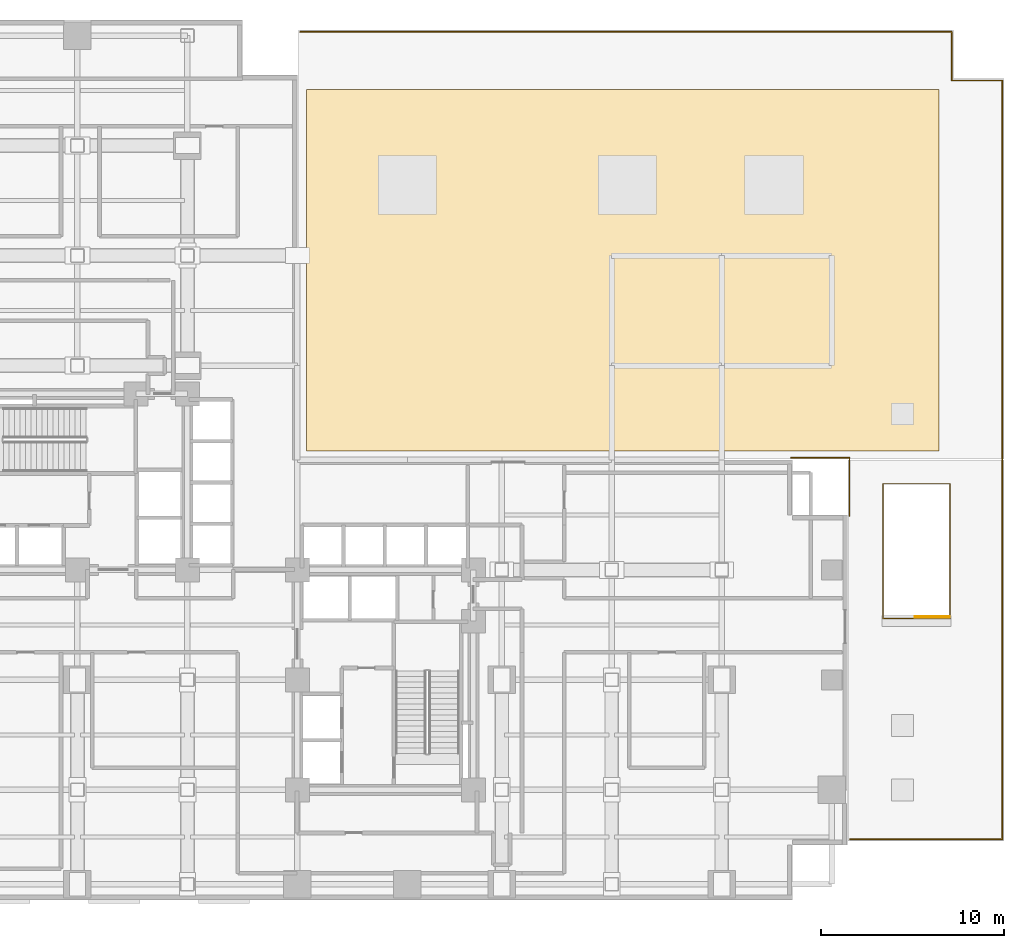
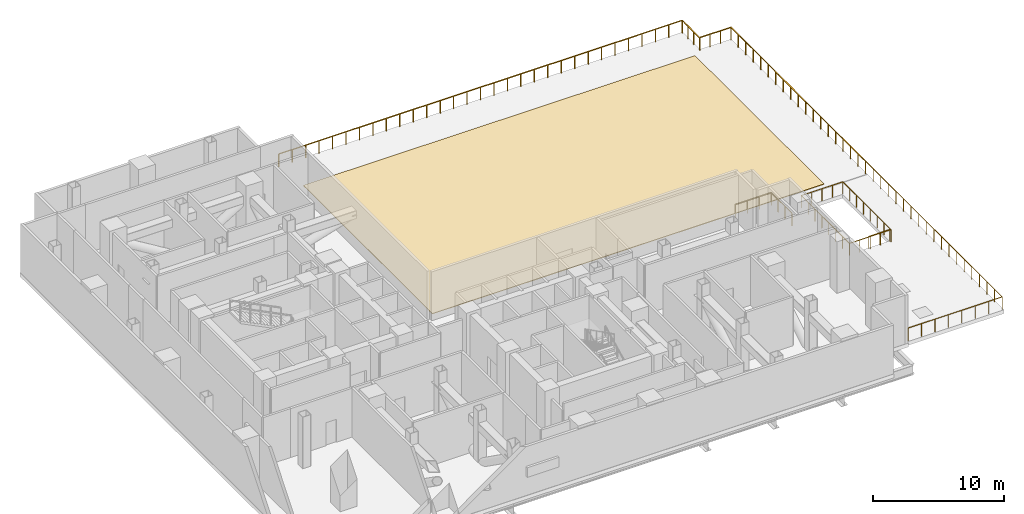
# One storey, part 8 of 8: 5 railings, 1 covering.
"""IFC4 building model written with IfcOpenShell, lengths in metres."""

from ifc_helpers import new_model, si_unit, direction, frame, origin, origin_2d, place, context, subcontext, project, spatial, polyline, rectangle, outline, extrude, material, layer, layer_set, type_object, element, save


model = new_model("IFC4")

# Units and contexts
model_context = context("Model", 3, precision=1e-05, world=origin(), true_north=direction((0.0, 1.0)))
body_context = subcontext(model_context, "Body", "Model", "MODEL_VIEW")
ifc_project = project(units=[si_unit("LENGTHUNIT", "METRE"), si_unit("AREAUNIT", "SQUARE_METRE"), si_unit("VOLUMEUNIT", "CUBIC_METRE"), si_unit("PLANEANGLEUNIT", "RADIAN"), si_unit("MASSUNIT", "GRAM", prefix="KILO"), si_unit("THERMODYNAMICTEMPERATUREUNIT", "KELVIN"), si_unit("POWERUNIT", "WATT")], contexts=[model_context])

# Site, building, storey
site_placement = place(None, origin())
site = spatial("IfcSite", under=ifc_project, at=site_placement, CompositionType="ELEMENT")
building_placement = place(site_placement, origin())
building = spatial("IfcBuilding", under=site, at=building_placement, Name="Svarakhadi Broadcast Tower", CompositionType="ELEMENT")
storey_placement = place(building_placement, frame((0.0, 0.0, 27.60009765625)))
storey = spatial("IfcBuildingStorey", under=building, at=storey_placement, Name="L05", CompositionType="ELEMENT", Elevation=27.60009765625)

# Railings
ifc_material_1 = material(Name="Anodised Bronze Aluminium AA 6063-T6", Category="aluminium")
railing_type_1 = type_object("IfcRailingType", Name="Guard_Stair_GR01", PredefinedType="GUARDRAIL", material=ifc_material_1)
railing_1_placement = place(storey_placement, frame((59.56005859375, 15.449951171875, 0.0)))
element("IfcRailing", 1, at=railing_1_placement, inside=storey, type_object=railing_type_1, Name="L05 ST-04 top well guard 1", PredefinedType="GUARDRAIL", context=body_context, shape_type="SweptSolid", body=[
    extrude(rectangle(XDim=0.048095703125, YDim=0.048095703125, at=origin_2d()), frame((0.0, 0.0, 1.09619140625), z_axis=(-1.0, 0.0, 0.0), x_axis=(0.0, -1.0, 0.0)), (0.0, 0.0, 1.0), 1.860107421875),
    extrude(rectangle(XDim=0.0419921875, YDim=0.0419921875, at=origin_2d()), origin(), (0.0, 0.0, 1.0), 1.072021484375),
    extrude(rectangle(XDim=0.0419921875, YDim=0.0419921875, at=origin_2d()), frame((-0.93017578125, 0.0, 0.0)), (0.0, 0.0, 1.0), 1.072021484375),
    extrude(rectangle(XDim=0.0419921875, YDim=0.0419921875, at=origin_2d()), frame((-1.860107421875, 0.0, 0.0)), (0.0, 0.0, 1.0), 1.072021484375),
])
railing_type_2 = type_object("IfcRailingType", Name="Guard_Terrace_GR02", PredefinedType="BALUSTRADE", material=ifc_material_1)
railing_2_placement = place(storey_placement, frame((24.14990234375, 47.35009765625, 0.0)))
element("IfcRailing", 2, at=railing_2_placement, inside=storey, type_object=railing_type_2, Name="L05 NE Waterfront Podium Terrace Perimeter Guard GR-02", PredefinedType="BALUSTRADE", context=body_context, shape_type="SweptSolid", body=[
    extrude(rectangle(XDim=0.048095703125, YDim=0.048095703125, at=origin_2d()), frame((0.0, 0.0, 1.17578125), z_axis=(1.0, 0.0, 0.0), x_axis=(0.0, 1.0, 0.0)), (0.0, 0.0, 1.0), 35.550048828125),
    extrude(rectangle(XDim=0.048095703125, YDim=0.048095703125, at=origin_2d()), frame((35.550048828125, 0.0, 1.17578125), z_axis=(0.0, -1.0, 0.0), x_axis=(1.0, 0.0, 0.0)), (0.0, 0.0, 1.0), 2.650146484375),
    extrude(rectangle(XDim=0.048095703125, YDim=0.048095703125, at=origin_2d()), frame((35.550048828125, -2.650146484375, 1.17578125), z_axis=(1.0, 0.0, 0.0), x_axis=(0.0, 1.0, 0.0)), (0.0, 0.0, 1.0), 2.75),
    extrude(rectangle(XDim=0.048095703125, YDim=0.048095703125, at=origin_2d()), frame((38.300048828125, -2.650146484375, 1.17578125), z_axis=(0.0, -1.0, 0.0), x_axis=(1.0, 0.0, 0.0)), (0.0, 0.0, 1.0), 20.550048828125),
    extrude(rectangle(XDim=0.0419921875, YDim=0.0419921875, at=origin_2d()), origin(), (0.0, 0.0, 1.0), 1.15185546875),
    extrude(rectangle(XDim=0.0419921875, YDim=0.0419921875, at=origin_2d()), frame((1.18505859375, 0.0, 0.0)), (0.0, 0.0, 1.0), 1.15185546875),
    extrude(rectangle(XDim=0.0419921875, YDim=0.0419921875, at=origin_2d()), frame((2.3701171875, 0.0, 0.0)), (0.0, 0.0, 1.0), 1.15185546875),
    extrude(rectangle(XDim=0.0419921875, YDim=0.0419921875, at=origin_2d()), frame((3.554931640625, 0.0, 0.0)), (0.0, 0.0, 1.0), 1.15185546875),
    extrude(rectangle(XDim=0.0419921875, YDim=0.0419921875, at=origin_2d()), frame((4.739990234375, 0.0, 0.0)), (0.0, 0.0, 1.0), 1.15185546875),
    extrude(rectangle(XDim=0.0419921875, YDim=0.0419921875, at=origin_2d()), frame((5.925048828125, 0.0, 0.0)), (0.0, 0.0, 1.0), 1.15185546875),
    extrude(rectangle(XDim=0.0419921875, YDim=0.0419921875, at=origin_2d()), frame((7.110107421875, 0.0, 0.0)), (0.0, 0.0, 1.0), 1.15185546875),
    extrude(rectangle(XDim=0.0419921875, YDim=0.0419921875, at=origin_2d()), frame((8.294921875, 0.0, 0.0)), (0.0, 0.0, 1.0), 1.15185546875),
    extrude(rectangle(XDim=0.0419921875, YDim=0.0419921875, at=origin_2d()), frame((9.47998046875, 0.0, 0.0)), (0.0, 0.0, 1.0), 1.15185546875),
    extrude(rectangle(XDim=0.0419921875, YDim=0.0419921875, at=origin_2d()), frame((10.6650390625, 0.0, 0.0)), (0.0, 0.0, 1.0), 1.15185546875),
    extrude(rectangle(XDim=0.0419921875, YDim=0.0419921875, at=origin_2d()), frame((11.85009765625, 0.0, 0.0)), (0.0, 0.0, 1.0), 1.15185546875),
    extrude(rectangle(XDim=0.0419921875, YDim=0.0419921875, at=origin_2d()), frame((13.034912109375, 0.0, 0.0)), (0.0, 0.0, 1.0), 1.15185546875),
    extrude(rectangle(XDim=0.0419921875, YDim=0.0419921875, at=origin_2d()), frame((14.219970703125, 0.0, 0.0)), (0.0, 0.0, 1.0), 1.15185546875),
    extrude(rectangle(XDim=0.0419921875, YDim=0.0419921875, at=origin_2d()), frame((15.405029296875, 0.0, 0.0)), (0.0, 0.0, 1.0), 1.15185546875),
    extrude(rectangle(XDim=0.0419921875, YDim=0.0419921875, at=origin_2d()), frame((16.590087890625, 0.0, 0.0)), (0.0, 0.0, 1.0), 1.15185546875),
    extrude(rectangle(XDim=0.0419921875, YDim=0.0419921875, at=origin_2d()), frame((17.77490234375, 0.0, 0.0)), (0.0, 0.0, 1.0), 1.15185546875),
    extrude(rectangle(XDim=0.0419921875, YDim=0.0419921875, at=origin_2d()), frame((18.9599609375, 0.0, 0.0)), (0.0, 0.0, 1.0), 1.15185546875),
    extrude(rectangle(XDim=0.0419921875, YDim=0.0419921875, at=origin_2d()), frame((20.14501953125, 0.0, 0.0)), (0.0, 0.0, 1.0), 1.15185546875),
    extrude(rectangle(XDim=0.0419921875, YDim=0.0419921875, at=origin_2d()), frame((21.330078125, 0.0, 0.0)), (0.0, 0.0, 1.0), 1.15185546875),
    extrude(rectangle(XDim=0.0419921875, YDim=0.0419921875, at=origin_2d()), frame((22.51513671875, 0.0, 0.0)), (0.0, 0.0, 1.0), 1.15185546875),
    extrude(rectangle(XDim=0.0419921875, YDim=0.0419921875, at=origin_2d()), frame((23.699951171875, 0.0, 0.0)), (0.0, 0.0, 1.0), 1.15185546875),
    extrude(rectangle(XDim=0.0419921875, YDim=0.0419921875, at=origin_2d()), frame((24.885009765625, 0.0, 0.0)), (0.0, 0.0, 1.0), 1.15185546875),
    extrude(rectangle(XDim=0.0419921875, YDim=0.0419921875, at=origin_2d()), frame((26.070068359375, 0.0, 0.0)), (0.0, 0.0, 1.0), 1.15185546875),
    extrude(rectangle(XDim=0.0419921875, YDim=0.0419921875, at=origin_2d()), frame((27.255126953125, 0.0, 0.0)), (0.0, 0.0, 1.0), 1.15185546875),
    extrude(rectangle(XDim=0.0419921875, YDim=0.0419921875, at=origin_2d()), frame((28.43994140625, 0.0, 0.0)), (0.0, 0.0, 1.0), 1.15185546875),
    extrude(rectangle(XDim=0.0419921875, YDim=0.0419921875, at=origin_2d()), frame((29.625, 0.0, 0.0)), (0.0, 0.0, 1.0), 1.15185546875),
    extrude(rectangle(XDim=0.0419921875, YDim=0.0419921875, at=origin_2d()), frame((30.81005859375, 0.0, 0.0)), (0.0, 0.0, 1.0), 1.15185546875),
    extrude(rectangle(XDim=0.0419921875, YDim=0.0419921875, at=origin_2d()), frame((31.9951171875, 0.0, 0.0)), (0.0, 0.0, 1.0), 1.15185546875),
    extrude(rectangle(XDim=0.0419921875, YDim=0.0419921875, at=origin_2d()), frame((33.179931640625, 0.0, 0.0)), (0.0, 0.0, 1.0), 1.15185546875),
    extrude(rectangle(XDim=0.0419921875, YDim=0.0419921875, at=origin_2d()), frame((34.364990234375, 0.0, 0.0)), (0.0, 0.0, 1.0), 1.15185546875),
    extrude(rectangle(XDim=0.0419921875, YDim=0.0419921875, at=origin_2d()), frame((35.550048828125, 0.0, 0.0)), (0.0, 0.0, 1.0), 1.15185546875),
    extrude(rectangle(XDim=0.0419921875, YDim=0.0419921875, at=origin_2d()), frame((35.550048828125, -0.88330078125, 0.0)), (0.0, 0.0, 1.0), 1.15185546875),
    extrude(rectangle(XDim=0.0419921875, YDim=0.0419921875, at=origin_2d()), frame((35.550048828125, -1.766845703125, 0.0)), (0.0, 0.0, 1.0), 1.15185546875),
    extrude(rectangle(XDim=0.0419921875, YDim=0.0419921875, at=origin_2d()), frame((35.550048828125, -2.650146484375, 0.0)), (0.0, 0.0, 1.0), 1.15185546875),
    extrude(rectangle(XDim=0.0419921875, YDim=0.0419921875, at=origin_2d()), frame((36.466796875, -2.650146484375, 0.0)), (0.0, 0.0, 1.0), 1.15185546875),
    extrude(rectangle(XDim=0.0419921875, YDim=0.0419921875, at=origin_2d()), frame((37.38330078125, -2.650146484375, 0.0)), (0.0, 0.0, 1.0), 1.15185546875),
    extrude(rectangle(XDim=0.0419921875, YDim=0.0419921875, at=origin_2d()), frame((38.300048828125, -2.650146484375, 0.0)), (0.0, 0.0, 1.0), 1.15185546875),
    extrude(rectangle(XDim=0.0419921875, YDim=0.0419921875, at=origin_2d()), frame((38.300048828125, -3.791748046875, 0.0)), (0.0, 0.0, 1.0), 1.15185546875),
    extrude(rectangle(XDim=0.0419921875, YDim=0.0419921875, at=origin_2d()), frame((38.300048828125, -4.93359375, 0.0)), (0.0, 0.0, 1.0), 1.15185546875),
    extrude(rectangle(XDim=0.0419921875, YDim=0.0419921875, at=origin_2d()), frame((38.300048828125, -6.0751953125, 0.0)), (0.0, 0.0, 1.0), 1.15185546875),
    extrude(rectangle(XDim=0.0419921875, YDim=0.0419921875, at=origin_2d()), frame((38.300048828125, -7.216796875, 0.0)), (0.0, 0.0, 1.0), 1.15185546875),
    extrude(rectangle(XDim=0.0419921875, YDim=0.0419921875, at=origin_2d()), frame((38.300048828125, -8.3583984375, 0.0)), (0.0, 0.0, 1.0), 1.15185546875),
    extrude(rectangle(XDim=0.0419921875, YDim=0.0419921875, at=origin_2d()), frame((38.300048828125, -9.500244140625, 0.0)), (0.0, 0.0, 1.0), 1.15185546875),
    extrude(rectangle(XDim=0.0419921875, YDim=0.0419921875, at=origin_2d()), frame((38.300048828125, -10.641845703125, 0.0)), (0.0, 0.0, 1.0), 1.15185546875),
    extrude(rectangle(XDim=0.0419921875, YDim=0.0419921875, at=origin_2d()), frame((38.300048828125, -11.783447265625, 0.0)), (0.0, 0.0, 1.0), 1.15185546875),
    extrude(rectangle(XDim=0.0419921875, YDim=0.0419921875, at=origin_2d()), frame((38.300048828125, -12.92529296875, 0.0)), (0.0, 0.0, 1.0), 1.15185546875),
    extrude(rectangle(XDim=0.0419921875, YDim=0.0419921875, at=origin_2d()), frame((38.300048828125, -14.06689453125, 0.0)), (0.0, 0.0, 1.0), 1.15185546875),
    extrude(rectangle(XDim=0.0419921875, YDim=0.0419921875, at=origin_2d()), frame((38.300048828125, -15.20849609375, 0.0)), (0.0, 0.0, 1.0), 1.15185546875),
    extrude(rectangle(XDim=0.0419921875, YDim=0.0419921875, at=origin_2d()), frame((38.300048828125, -16.35009765625, 0.0)), (0.0, 0.0, 1.0), 1.15185546875),
    extrude(rectangle(XDim=0.0419921875, YDim=0.0419921875, at=origin_2d()), frame((38.300048828125, -17.491943359375, 0.0)), (0.0, 0.0, 1.0), 1.15185546875),
    extrude(rectangle(XDim=0.0419921875, YDim=0.0419921875, at=origin_2d()), frame((38.300048828125, -18.633544921875, 0.0)), (0.0, 0.0, 1.0), 1.15185546875),
    extrude(rectangle(XDim=0.0419921875, YDim=0.0419921875, at=origin_2d()), frame((38.300048828125, -19.775146484375, 0.0)), (0.0, 0.0, 1.0), 1.15185546875),
    extrude(rectangle(XDim=0.0419921875, YDim=0.0419921875, at=origin_2d()), frame((38.300048828125, -20.916748046875, 0.0)), (0.0, 0.0, 1.0), 1.15185546875),
    extrude(rectangle(XDim=0.0419921875, YDim=0.0419921875, at=origin_2d()), frame((38.300048828125, -22.05859375, 0.0)), (0.0, 0.0, 1.0), 1.15185546875),
    extrude(rectangle(XDim=0.0419921875, YDim=0.0419921875, at=origin_2d()), frame((38.300048828125, -23.2001953125, 0.0)), (0.0, 0.0, 1.0), 1.15185546875),
])
railing_3_placement = place(storey_placement, frame((62.449951171875, 24.14990234375, 0.0)))
element("IfcRailing", 3, at=railing_3_placement, inside=storey, type_object=railing_type_2, Name="L05 SE Waterfront Podium Terrace Perimeter Guard GR-02", PredefinedType="BALUSTRADE", context=body_context, shape_type="SweptSolid", body=[
    extrude(rectangle(XDim=0.048095703125, YDim=0.048095703125, at=origin_2d()), frame((0.0, 0.0, 1.17578125), z_axis=(0.0, -1.0, 0.0), x_axis=(1.0, 0.0, 0.0)), (0.0, 0.0, 1.0), 20.849853515625),
    extrude(rectangle(XDim=0.048095703125, YDim=0.048095703125, at=origin_2d()), frame((0.0, -20.849853515625, 1.17578125), z_axis=(-1.0, 0.0, 0.0), x_axis=(0.0, -1.0, 0.0)), (0.0, 0.0, 1.0), 8.300048828125),
    extrude(rectangle(XDim=0.0419921875, YDim=0.0419921875, at=origin_2d()), origin(), (0.0, 0.0, 1.0), 1.15185546875),
    extrude(rectangle(XDim=0.0419921875, YDim=0.0419921875, at=origin_2d()), frame((0.0, -1.158203125, 0.0)), (0.0, 0.0, 1.0), 1.15185546875),
    extrude(rectangle(XDim=0.0419921875, YDim=0.0419921875, at=origin_2d()), frame((0.0, -2.316650390625, 0.0)), (0.0, 0.0, 1.0), 1.15185546875),
    extrude(rectangle(XDim=0.0419921875, YDim=0.0419921875, at=origin_2d()), frame((0.0, -3.47509765625, 0.0)), (0.0, 0.0, 1.0), 1.15185546875),
    extrude(rectangle(XDim=0.0419921875, YDim=0.0419921875, at=origin_2d()), frame((0.0, -4.63330078125, 0.0)), (0.0, 0.0, 1.0), 1.15185546875),
    extrude(rectangle(XDim=0.0419921875, YDim=0.0419921875, at=origin_2d()), frame((0.0, -5.79150390625, 0.0)), (0.0, 0.0, 1.0), 1.15185546875),
    extrude(rectangle(XDim=0.0419921875, YDim=0.0419921875, at=origin_2d()), frame((0.0, -6.949951171875, 0.0)), (0.0, 0.0, 1.0), 1.15185546875),
    extrude(rectangle(XDim=0.0419921875, YDim=0.0419921875, at=origin_2d()), frame((0.0, -8.1083984375, 0.0)), (0.0, 0.0, 1.0), 1.15185546875),
    extrude(rectangle(XDim=0.0419921875, YDim=0.0419921875, at=origin_2d()), frame((0.0, -9.2666015625, 0.0)), (0.0, 0.0, 1.0), 1.15185546875),
    extrude(rectangle(XDim=0.0419921875, YDim=0.0419921875, at=origin_2d()), frame((0.0, -10.4248046875, 0.0)), (0.0, 0.0, 1.0), 1.15185546875),
    extrude(rectangle(XDim=0.0419921875, YDim=0.0419921875, at=origin_2d()), frame((0.0, -11.583251953125, 0.0)), (0.0, 0.0, 1.0), 1.15185546875),
    extrude(rectangle(XDim=0.0419921875, YDim=0.0419921875, at=origin_2d()), frame((0.0, -12.74169921875, 0.0)), (0.0, 0.0, 1.0), 1.15185546875),
    extrude(rectangle(XDim=0.0419921875, YDim=0.0419921875, at=origin_2d()), frame((0.0, -13.89990234375, 0.0)), (0.0, 0.0, 1.0), 1.15185546875),
    extrude(rectangle(XDim=0.0419921875, YDim=0.0419921875, at=origin_2d()), frame((0.0, -15.05810546875, 0.0)), (0.0, 0.0, 1.0), 1.15185546875),
    extrude(rectangle(XDim=0.0419921875, YDim=0.0419921875, at=origin_2d()), frame((0.0, -16.216552734375, 0.0)), (0.0, 0.0, 1.0), 1.15185546875),
    extrude(rectangle(XDim=0.0419921875, YDim=0.0419921875, at=origin_2d()), frame((0.0, -17.375, 0.0)), (0.0, 0.0, 1.0), 1.15185546875),
    extrude(rectangle(XDim=0.0419921875, YDim=0.0419921875, at=origin_2d()), frame((0.0, -18.533203125, 0.0)), (0.0, 0.0, 1.0), 1.15185546875),
    extrude(rectangle(XDim=0.0419921875, YDim=0.0419921875, at=origin_2d()), frame((0.0, -19.69140625, 0.0)), (0.0, 0.0, 1.0), 1.15185546875),
    extrude(rectangle(XDim=0.0419921875, YDim=0.0419921875, at=origin_2d()), frame((0.0, -20.849853515625, 0.0)), (0.0, 0.0, 1.0), 1.15185546875),
    extrude(rectangle(XDim=0.0419921875, YDim=0.0419921875, at=origin_2d()), frame((-1.185791015625, -20.849853515625, 0.0)), (0.0, 0.0, 1.0), 1.15185546875),
    extrude(rectangle(XDim=0.0419921875, YDim=0.0419921875, at=origin_2d()), frame((-2.371337890625, -20.849853515625, 0.0)), (0.0, 0.0, 1.0), 1.15185546875),
    extrude(rectangle(XDim=0.0419921875, YDim=0.0419921875, at=origin_2d()), frame((-3.55712890625, -20.849853515625, 0.0)), (0.0, 0.0, 1.0), 1.15185546875),
    extrude(rectangle(XDim=0.0419921875, YDim=0.0419921875, at=origin_2d()), frame((-4.742919921875, -20.849853515625, 0.0)), (0.0, 0.0, 1.0), 1.15185546875),
    extrude(rectangle(XDim=0.0419921875, YDim=0.0419921875, at=origin_2d()), frame((-5.9287109375, -20.849853515625, 0.0)), (0.0, 0.0, 1.0), 1.15185546875),
    extrude(rectangle(XDim=0.0419921875, YDim=0.0419921875, at=origin_2d()), frame((-7.1142578125, -20.849853515625, 0.0)), (0.0, 0.0, 1.0), 1.15185546875),
    extrude(rectangle(XDim=0.0419921875, YDim=0.0419921875, at=origin_2d()), frame((-8.300048828125, -20.849853515625, 0.0)), (0.0, 0.0, 1.0), 1.15185546875),
])
railing_4_placement = place(storey_placement, frame((50.949951171875, 24.1201171875, 0.0)))
element("IfcRailing", 4, at=railing_4_placement, inside=storey, type_object=railing_type_2, Name="L05 Podium Terrace Re-Entrant Notch Guard GR-02", PredefinedType="BALUSTRADE", context=body_context, shape_type="SweptSolid", body=[
    extrude(rectangle(XDim=0.048095703125, YDim=0.048095703125, at=origin_2d()), frame((0.0, 0.0, 1.17578125), z_axis=(1.0, 0.0, 0.0), x_axis=(0.0, 1.0, 0.0)), (0.0, 0.0, 1.0), 3.170166015625),
    extrude(rectangle(XDim=0.048095703125, YDim=0.048095703125, at=origin_2d()), frame((3.170166015625, 0.0, 1.17578125), z_axis=(0.0, -1.0, 0.0), x_axis=(1.0, 0.0, 0.0)), (0.0, 0.0, 1.0), 3.170166015625),
    extrude(rectangle(XDim=0.0419921875, YDim=0.0419921875, at=origin_2d()), origin(), (0.0, 0.0, 1.0), 1.15185546875),
    extrude(rectangle(XDim=0.0419921875, YDim=0.0419921875, at=origin_2d()), frame((1.056640625, 0.0, 0.0)), (0.0, 0.0, 1.0), 1.15185546875),
    extrude(rectangle(XDim=0.0419921875, YDim=0.0419921875, at=origin_2d()), frame((2.113525390625, 0.0, 0.0)), (0.0, 0.0, 1.0), 1.15185546875),
    extrude(rectangle(XDim=0.0419921875, YDim=0.0419921875, at=origin_2d()), frame((3.170166015625, 0.0, 0.0)), (0.0, 0.0, 1.0), 1.15185546875),
    extrude(rectangle(XDim=0.0419921875, YDim=0.0419921875, at=origin_2d()), frame((3.170166015625, -1.056640625, 0.0)), (0.0, 0.0, 1.0), 1.15185546875),
    extrude(rectangle(XDim=0.0419921875, YDim=0.0419921875, at=origin_2d()), frame((3.170166015625, -2.113525390625, 0.0)), (0.0, 0.0, 1.0), 1.15185546875),
    extrude(rectangle(XDim=0.0419921875, YDim=0.0419921875, at=origin_2d()), frame((3.170166015625, -3.170166015625, 0.0)), (0.0, 0.0, 1.0), 1.15185546875),
])
railing_type_3 = type_object("IfcRailingType", Name="Guard_Void_GR04", PredefinedType="GUARDRAIL", material=ifc_material_1)
railing_5_placement = place(storey_placement, frame((59.610107421875, 15.35009765625, 0.0)))
element("IfcRailing", 5, at=railing_5_placement, inside=storey, type_object=railing_type_3, Name="L05 Stair ST-04 Top-Floor Well Perimeter Guard GR-04", PredefinedType="GUARDRAIL", context=body_context, shape_type="SweptSolid", body=[
    extrude(rectangle(XDim=0.048095703125, YDim=0.048095703125, at=origin_2d()), frame((0.0, 0.0, 1.1259765625), z_axis=(0.0, 1.0, 0.0), x_axis=(-1.0, 0.0, 0.0)), (0.0, 0.0, 1.0), 7.349853515625),
    extrude(rectangle(XDim=0.048095703125, YDim=0.048095703125, at=origin_2d()), frame((0.0, 7.349853515625, 1.1259765625), z_axis=(-1.0, 0.0, 0.0), x_axis=(0.0, -1.0, 0.0)), (0.0, 0.0, 1.0), 3.66015625),
    extrude(rectangle(XDim=0.048095703125, YDim=0.048095703125, at=origin_2d()), frame((-3.66015625, 7.349853515625, 1.1259765625), z_axis=(0.0, -1.0, 0.0), x_axis=(1.0, 0.0, 0.0)), (0.0, 0.0, 1.0), 7.349853515625),
    extrude(rectangle(XDim=0.048095703125, YDim=0.048095703125, at=origin_2d()), frame((-3.66015625, 0.0, 1.1259765625), z_axis=(1.0, 0.0, 0.0), x_axis=(0.0, 1.0, 0.0)), (0.0, 0.0, 1.0), 3.66015625),
    extrude(rectangle(XDim=0.0419921875, YDim=0.0419921875, at=origin_2d()), origin(), (0.0, 0.0, 1.0), 1.101806640625),
    extrude(rectangle(XDim=0.0419921875, YDim=0.0419921875, at=origin_2d()), frame((0.0, 1.050048828125, 0.0)), (0.0, 0.0, 1.0), 1.101806640625),
    extrude(rectangle(XDim=0.0419921875, YDim=0.0419921875, at=origin_2d()), frame((0.0, 2.099853515625, 0.0)), (0.0, 0.0, 1.0), 1.101806640625),
    extrude(rectangle(XDim=0.0419921875, YDim=0.0419921875, at=origin_2d()), frame((0.0, 3.14990234375, 0.0)), (0.0, 0.0, 1.0), 1.101806640625),
    extrude(rectangle(XDim=0.0419921875, YDim=0.0419921875, at=origin_2d()), frame((0.0, 4.199951171875, 0.0)), (0.0, 0.0, 1.0), 1.101806640625),
    extrude(rectangle(XDim=0.0419921875, YDim=0.0419921875, at=origin_2d()), frame((0.0, 5.25, 0.0)), (0.0, 0.0, 1.0), 1.101806640625),
    extrude(rectangle(XDim=0.0419921875, YDim=0.0419921875, at=origin_2d()), frame((0.0, 6.2998046875, 0.0)), (0.0, 0.0, 1.0), 1.101806640625),
    extrude(rectangle(XDim=0.0419921875, YDim=0.0419921875, at=origin_2d()), frame((0.0, 7.349853515625, 0.0)), (0.0, 0.0, 1.0), 1.101806640625),
    extrude(rectangle(XDim=0.0419921875, YDim=0.0419921875, at=origin_2d()), frame((-0.9150390625, 7.349853515625, 0.0)), (0.0, 0.0, 1.0), 1.101806640625),
    extrude(rectangle(XDim=0.0419921875, YDim=0.0419921875, at=origin_2d()), frame((-1.830078125, 7.349853515625, 0.0)), (0.0, 0.0, 1.0), 1.101806640625),
    extrude(rectangle(XDim=0.0419921875, YDim=0.0419921875, at=origin_2d()), frame((-2.7451171875, 7.349853515625, 0.0)), (0.0, 0.0, 1.0), 1.101806640625),
    extrude(rectangle(XDim=0.0419921875, YDim=0.0419921875, at=origin_2d()), frame((-3.66015625, 7.349853515625, 0.0)), (0.0, 0.0, 1.0), 1.101806640625),
    extrude(rectangle(XDim=0.0419921875, YDim=0.0419921875, at=origin_2d()), frame((-3.66015625, 6.2998046875, 0.0)), (0.0, 0.0, 1.0), 1.101806640625),
    extrude(rectangle(XDim=0.0419921875, YDim=0.0419921875, at=origin_2d()), frame((-3.66015625, 5.25, 0.0)), (0.0, 0.0, 1.0), 1.101806640625),
    extrude(rectangle(XDim=0.0419921875, YDim=0.0419921875, at=origin_2d()), frame((-3.66015625, 4.199951171875, 0.0)), (0.0, 0.0, 1.0), 1.101806640625),
    extrude(rectangle(XDim=0.0419921875, YDim=0.0419921875, at=origin_2d()), frame((-3.66015625, 3.14990234375, 0.0)), (0.0, 0.0, 1.0), 1.101806640625),
    extrude(rectangle(XDim=0.0419921875, YDim=0.0419921875, at=origin_2d()), frame((-3.66015625, 2.099853515625, 0.0)), (0.0, 0.0, 1.0), 1.101806640625),
    extrude(rectangle(XDim=0.0419921875, YDim=0.0419921875, at=origin_2d()), frame((-3.66015625, 1.050048828125, 0.0)), (0.0, 0.0, 1.0), 1.101806640625),
    extrude(rectangle(XDim=0.0419921875, YDim=0.0419921875, at=origin_2d()), frame((-3.66015625, 0.0, 0.0)), (0.0, 0.0, 1.0), 1.101806640625),
    extrude(rectangle(XDim=0.0419921875, YDim=0.0419921875, at=origin_2d()), frame((-2.7451171875, 0.0, 0.0)), (0.0, 0.0, 1.0), 1.101806640625),
    extrude(rectangle(XDim=0.0419921875, YDim=0.0419921875, at=origin_2d()), frame((-1.830078125, 0.0, 0.0)), (0.0, 0.0, 1.0), 1.101806640625),
    extrude(rectangle(XDim=0.0419921875, YDim=0.0419921875, at=origin_2d()), frame((-0.9150390625, 0.0, 0.0)), (0.0, 0.0, 1.0), 1.101806640625),
])

# Covering
ifc_material_2 = material(Name="SBS Modified Bitumen Waterproofing Membrane", Category="bitumen")
ifc_layer = layer(ifc_material_2, 0.054931640625)
ifc_layer_set = layer_set([ifc_layer], Name="SBS Modified Bitumen Waterproofing Membrane")
covering_type = type_object("IfcCoveringType", Name="Roofing_Membrane_RM02", PredefinedType="ROOFING", material=ifc_layer_set)
covering_placement = place(storey_placement, origin())
element("IfcCovering", 6, at=covering_placement, inside=storey, type_object=covering_type, Name="L05 Podium Terrace Waterproofing Membrane CV-07", PredefinedType="ROOFING", context=body_context, shape_type="SweptSolid", body=[
    extrude(outline(polyline([(24.5, 24.5), (59.0, 24.5), (59.0, 44.199951171875), (24.5, 44.199951171875), (24.5, 24.5)])), origin(), (0.0, 0.0, 1.0), 0.054931640625),
])

save(model, "model.ifc")
